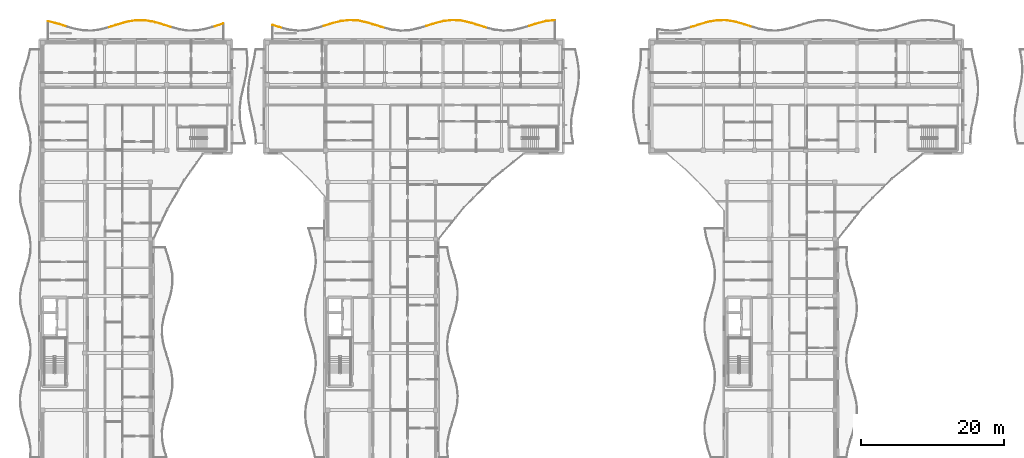
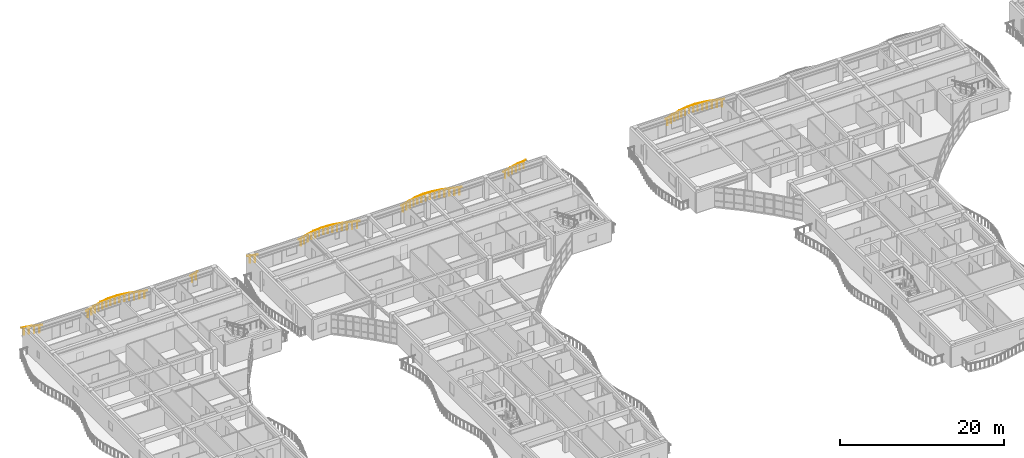
# One storey, part 68 of 76: 35 railings.
"""IFC4 building model written with IfcOpenShell, lengths in metres."""

from ifc_helpers import new_model, si_unit, direction, frame, origin, origin_2d, place, context, subcontext, project, spatial, circle, extrude, material, type_object, element, save


model = new_model("IFC4")

# Units and contexts
model_context = context("Model", 3, precision=1e-05, world=origin(), true_north=direction((0.0, 1.0)))
body_context = subcontext(model_context, "Body", "Model", "MODEL_VIEW")
ifc_project = project(units=[si_unit("LENGTHUNIT", "METRE"), si_unit("AREAUNIT", "SQUARE_METRE"), si_unit("VOLUMEUNIT", "CUBIC_METRE"), si_unit("PLANEANGLEUNIT", "RADIAN"), si_unit("MASSUNIT", "GRAM", prefix="KILO")], contexts=[model_context])

# Site, building, storey
site_placement = place(None, origin())
site = spatial("IfcSite", under=ifc_project, at=site_placement, CompositionType="ELEMENT")
building_placement = place(site_placement, origin())
building = spatial("IfcBuilding", under=site, at=building_placement, Name="Keldmere Railside Commons", CompositionType="ELEMENT")
storey_placement = place(building_placement, frame((0.0, 0.0, 13.760009765625)))
storey = spatial("IfcBuildingStorey", under=building, at=storey_placement, Name="L04", CompositionType="ELEMENT", Elevation=13.760009765625)

# Railings
ifc_material = material(Name="Steel F-24 (S235)", Category="steel")
railing_type = type_object("IfcRailingType", Name="Balcony & Terrace Steel Balustrade 1100", PredefinedType="BALUSTRADE", material=ifc_material)
railing_1_placement = place(storey_placement, frame((9.199951171875, 118.556396484375, 0.0)))
element("IfcRailing", 1, at=railing_1_placement, inside=storey, type_object=railing_type, Name="GR-1 GRD-L04-0380", PredefinedType="BALUSTRADE", context=body_context, shape_type="SweptSolid", body=[
    extrude(circle(Radius=0.02392578125, at=origin_2d()), frame((0.0, 0.0, 1.076171875), z_axis=(0.969482406187, -0.2451608943, 0.0), x_axis=(0.2451608943, 0.969482406187, 0.0)), (0.0, 0.0, 1.0), 1.268798828125),
    extrude(circle(Radius=0.02099609375, at=origin_2d()), frame((0.3076171875, -0.07763671875, 0.0)), (0.0, 0.0, 1.0), 1.048095703125),
    extrude(circle(Radius=0.02099609375, at=origin_2d()), frame((0.92236328125, -0.2333984375, 0.0)), (0.0, 0.0, 1.0), 1.048095703125),
])
railing_2_placement = place(storey_placement, frame((10.429931640625, 118.245361328125, 0.0)))
element("IfcRailing", 2, at=railing_2_placement, inside=storey, type_object=railing_type, Name="GR-1 GRD-L04-0381", PredefinedType="BALUSTRADE", context=body_context, shape_type="SweptSolid", body=[
    extrude(circle(Radius=0.02392578125, at=origin_2d()), frame((0.0, 0.0, 1.076171875), z_axis=(0.95232313368, -0.305091214323, 0.0), x_axis=(0.305091214323, 0.95232313368, 0.0)), (0.0, 0.0, 1.0), 1.29150390625),
    extrude(circle(Radius=0.02099609375, at=origin_2d()), frame((0.3076171875, -0.0986328125, 0.0)), (0.0, 0.0, 1.0), 1.048095703125),
    extrude(circle(Radius=0.02099609375, at=origin_2d()), frame((0.92236328125, -0.29541015625, 0.0)), (0.0, 0.0, 1.0), 1.048095703125),
])
railing_3_placement = place(storey_placement, frame((17.81005859375, 117.70947265625, 0.0)))
element("IfcRailing", 3, at=railing_3_placement, inside=storey, type_object=railing_type, Name="GR-1 GRD-L04-0387", PredefinedType="BALUSTRADE", context=body_context, shape_type="SweptSolid", body=[
    extrude(circle(Radius=0.02392578125, at=origin_2d()), frame((0.0, 0.0, 1.076171875), z_axis=(0.951607090791, 0.307317335593, 0.0), x_axis=(-0.307317335593, 0.951607090791, 0.0)), (0.0, 0.0, 1.0), 1.29248046875),
    extrude(circle(Radius=0.02099609375, at=origin_2d()), frame((0.3076171875, 0.099365234375, 0.0)), (0.0, 0.0, 1.0), 1.048095703125),
    extrude(circle(Radius=0.02099609375, at=origin_2d()), frame((0.92236328125, 0.2978515625, 0.0)), (0.0, 0.0, 1.0), 1.048095703125),
])
railing_4_placement = place(storey_placement, frame((19.0400390625, 118.106689453125, 0.0)))
element("IfcRailing", 4, at=railing_4_placement, inside=storey, type_object=railing_type, Name="GR-1 GRD-L04-0388", PredefinedType="BALUSTRADE", context=body_context, shape_type="SweptSolid", body=[
    extrude(circle(Radius=0.02392578125, at=origin_2d()), frame((0.0, 0.0, 1.076171875), z_axis=(0.961192069066, 0.275880057933, 0.0), x_axis=(-0.275880057933, 0.961192069066, 0.0)), (0.0, 0.0, 1.0), 1.279541015625),
    extrude(circle(Radius=0.02099609375, at=origin_2d()), frame((0.3076171875, 0.08837890625, 0.0)), (0.0, 0.0, 1.0), 1.048095703125),
    extrude(circle(Radius=0.02099609375, at=origin_2d()), frame((0.92236328125, 0.2646484375, 0.0)), (0.0, 0.0, 1.0), 1.048095703125),
])
railing_5_placement = place(storey_placement, frame((20.27001953125, 118.459716796875, 0.0)))
element("IfcRailing", 5, at=railing_5_placement, inside=storey, type_object=railing_type, Name="GR-1 GRD-L04-0389", PredefinedType="BALUSTRADE", context=body_context, shape_type="SweptSolid", body=[
    extrude(circle(Radius=0.02392578125, at=origin_2d()), frame((0.0, 0.0, 1.076171875), z_axis=(0.985806014583, 0.167888360562, 0.0), x_axis=(-0.167888360562, 0.985806014583, 0.0)), (0.0, 0.0, 1.0), 1.247802734375),
    extrude(circle(Radius=0.02099609375, at=origin_2d()), frame((0.3076171875, 0.05224609375, 0.0)), (0.0, 0.0, 1.0), 1.048095703125),
    extrude(circle(Radius=0.02099609375, at=origin_2d()), frame((0.92236328125, 0.1572265625, 0.0)), (0.0, 0.0, 1.0), 1.048095703125),
])
railing_6_placement = place(storey_placement, frame((21.5, 118.669189453125, 0.0)))
element("IfcRailing", 6, at=railing_6_placement, inside=storey, type_object=railing_type, Name="GR-1 GRD-L04-0390", PredefinedType="BALUSTRADE", context=body_context, shape_type="SweptSolid", body=[
    extrude(circle(Radius=0.02392578125, at=origin_2d()), frame((0.0, 0.0, 1.076171875), z_axis=(0.999981069385, 0.006153118926, 0.0), x_axis=(-0.006153118926, 0.999981069385, 0.0)), (0.0, 0.0, 1.0), 1.22998046875),
    extrude(circle(Radius=0.02099609375, at=origin_2d()), frame((0.3076171875, 0.001953125, 0.0)), (0.0, 0.0, 1.0), 1.048095703125),
    extrude(circle(Radius=0.02099609375, at=origin_2d()), frame((0.92236328125, 0.005615234375, 0.0)), (0.0, 0.0, 1.0), 1.048095703125),
])
railing_7_placement = place(storey_placement, frame((22.72998046875, 118.6767578125, 0.0)))
element("IfcRailing", 7, at=railing_7_placement, inside=storey, type_object=railing_type, Name="GR-1 GRD-L04-0391", PredefinedType="BALUSTRADE", context=body_context, shape_type="SweptSolid", body=[
    extrude(circle(Radius=0.02392578125, at=origin_2d()), frame((0.0, 0.0, 1.076171875), z_axis=(0.987443077964, -0.157975212552, 0.0), x_axis=(0.157975212552, 0.987443077964, 0.0)), (0.0, 0.0, 1.0), 1.24560546875),
    extrude(circle(Radius=0.02099609375, at=origin_2d()), frame((0.3076171875, -0.04931640625, 0.0)), (0.0, 0.0, 1.0), 1.048095703125),
    extrude(circle(Radius=0.02099609375, at=origin_2d()), frame((0.92236328125, -0.1474609375, 0.0)), (0.0, 0.0, 1.0), 1.048095703125),
])
railing_8_placement = place(storey_placement, frame((23.9599609375, 118.47998046875, 0.0)))
element("IfcRailing", 8, at=railing_8_placement, inside=storey, type_object=railing_type, Name="GR-1 GRD-L04-0392", PredefinedType="BALUSTRADE", context=body_context, shape_type="SweptSolid", body=[
    extrude(circle(Radius=0.02392578125, at=origin_2d()), frame((0.0, 0.0, 1.076171875), z_axis=(0.962647827518, -0.270756643825, 0.0), x_axis=(0.270756643825, 0.962647827518, 0.0)), (0.0, 0.0, 1.0), 1.277587890625),
    extrude(circle(Radius=0.02099609375, at=origin_2d()), frame((0.3076171875, -0.08642578125, 0.0)), (0.0, 0.0, 1.0), 1.048095703125),
    extrude(circle(Radius=0.02099609375, at=origin_2d()), frame((0.92236328125, -0.259521484375, 0.0)), (0.0, 0.0, 1.0), 1.048095703125),
])
railing_9_placement = place(storey_placement, frame((25.18994140625, 118.134033203125, 0.0)))
element("IfcRailing", 9, at=railing_9_placement, inside=storey, type_object=railing_type, Name="GR-1 GRD-L04-0393", PredefinedType="BALUSTRADE", context=body_context, shape_type="SweptSolid", body=[
    extrude(circle(Radius=0.02392578125, at=origin_2d()), frame((0.0, 0.0, 1.076171875), z_axis=(0.951496564548, -0.307659369521, 0.0), x_axis=(0.307659369521, 0.951496564548, 0.0)), (0.0, 0.0, 1.0), 1.292724609375),
    extrude(circle(Radius=0.02099609375, at=origin_2d()), frame((0.3076171875, -0.099365234375, 0.0)), (0.0, 0.0, 1.0), 1.048095703125),
    extrude(circle(Radius=0.02099609375, at=origin_2d()), frame((0.92236328125, -0.29833984375, 0.0)), (0.0, 0.0, 1.0), 1.048095703125),
])
railing_10_placement = place(storey_placement, frame((32.570068359375, 117.823486328125, 0.0)))
element("IfcRailing", 10, at=railing_10_placement, inside=storey, type_object=railing_type, Name="GR-1 GRD-L04-0399", PredefinedType="BALUSTRADE", context=body_context, shape_type="SweptSolid", body=[
    extrude(circle(Radius=0.02392578125, at=origin_2d()), frame((0.0, 0.0, 1.076171875), z_axis=(0.951882980332, 0.306461729674, 0.0), x_axis=(-0.306461729674, 0.951882980332, 0.0)), (0.0, 0.0, 1.0), 1.292236328125),
    extrude(circle(Radius=0.02099609375, at=origin_2d()), frame((0.3076171875, 0.09912109375, 0.0)), (0.0, 0.0, 1.0), 1.048095703125),
    extrude(circle(Radius=0.02099609375, at=origin_2d()), frame((0.92236328125, 0.296875, 0.0)), (0.0, 0.0, 1.0), 1.048095703125),
])
railing_11_placement = place(storey_placement, frame((40.699951171875, 118.0185546875, 0.0)))
element("IfcRailing", 11, at=railing_11_placement, inside=storey, type_object=railing_type, Name="GR-1 GRD-L04-1178", PredefinedType="BALUSTRADE", context=body_context, shape_type="SweptSolid", body=[
    extrude(circle(Radius=0.02392578125, at=origin_2d()), frame((0.0, 0.0, 1.076171875), z_axis=(0.952749959095, -0.303755683805, 0.0), x_axis=(0.303755683805, 0.952749959095, 0.0)), (0.0, 0.0, 1.0), 1.259521484375),
    extrude(circle(Radius=0.02099609375, at=origin_2d()), frame((0.300048828125, -0.095703125, 0.0)), (0.0, 0.0, 1.0), 1.048095703125),
    extrude(circle(Radius=0.02099609375, at=origin_2d()), frame((0.89990234375, -0.286865234375, 0.0)), (0.0, 0.0, 1.0), 1.048095703125),
])
railing_12_placement = place(storey_placement, frame((47.89990234375, 117.88134765625, 0.0)))
element("IfcRailing", 12, at=railing_12_placement, inside=storey, type_object=railing_type, Name="GR-1 GRD-L04-1184", PredefinedType="BALUSTRADE", context=body_context, shape_type="SweptSolid", body=[
    extrude(circle(Radius=0.02392578125, at=origin_2d()), frame((0.0, 0.0, 1.076171875), z_axis=(0.952767839772, 0.303699594166, 0.0), x_axis=(-0.303699594166, 0.952767839772, 0.0)), (0.0, 0.0, 1.0), 1.259765625),
    extrude(circle(Radius=0.02099609375, at=origin_2d()), frame((0.300048828125, 0.095703125, 0.0)), (0.0, 0.0, 1.0), 1.048095703125),
    extrude(circle(Radius=0.02099609375, at=origin_2d()), frame((0.900146484375, 0.286865234375, 0.0)), (0.0, 0.0, 1.0), 1.048095703125),
])
railing_13_placement = place(storey_placement, frame((49.10009765625, 118.263916015625, 0.0)))
element("IfcRailing", 13, at=railing_13_placement, inside=storey, type_object=railing_type, Name="GR-1 GRD-L04-1185", PredefinedType="BALUSTRADE", context=body_context, shape_type="SweptSolid", body=[
    extrude(circle(Radius=0.02392578125, at=origin_2d()), frame((0.0, 0.0, 1.076171875), z_axis=(0.97040903409, 0.241466988544, 0.0), x_axis=(-0.241466988544, 0.97040903409, 0.0)), (0.0, 0.0, 1.0), 1.236572265625),
    extrude(circle(Radius=0.02099609375, at=origin_2d()), frame((0.300048828125, 0.07470703125, 0.0)), (0.0, 0.0, 1.0), 1.048095703125),
    extrude(circle(Radius=0.02099609375, at=origin_2d()), frame((0.89990234375, 0.223876953125, 0.0)), (0.0, 0.0, 1.0), 1.048095703125),
])
railing_14_placement = place(storey_placement, frame((50.300048828125, 118.5625, 0.0)))
element("IfcRailing", 14, at=railing_14_placement, inside=storey, type_object=railing_type, Name="GR-1 GRD-L04-1186", PredefinedType="BALUSTRADE", context=body_context, shape_type="SweptSolid", body=[
    extrude(circle(Radius=0.02392578125, at=origin_2d()), frame((0.0, 0.0, 1.076171875), z_axis=(0.993774761635, 0.111407913258, 0.0), x_axis=(-0.111407913258, 0.993774761635, 0.0)), (0.0, 0.0, 1.0), 1.20751953125),
    extrude(circle(Radius=0.02099609375, at=origin_2d()), frame((0.300048828125, 0.03369140625, 0.0)), (0.0, 0.0, 1.0), 1.048095703125),
    extrude(circle(Radius=0.02099609375, at=origin_2d()), frame((0.89990234375, 0.100830078125, 0.0)), (0.0, 0.0, 1.0), 1.048095703125),
])
railing_15_placement = place(storey_placement, frame((51.5, 118.697021484375, 0.0)))
element("IfcRailing", 15, at=railing_15_placement, inside=storey, type_object=railing_type, Name="GR-1 GRD-L04-1187", PredefinedType="BALUSTRADE", context=body_context, shape_type="SweptSolid", body=[
    extrude(circle(Radius=0.02392578125, at=origin_2d()), frame((0.0, 0.0, 1.076171875), z_axis=(0.998494541086, -0.054851175197, 0.0), x_axis=(0.054851175197, 0.998494541086, 0.0)), (0.0, 0.0, 1.0), 1.20166015625),
    extrude(circle(Radius=0.02099609375, at=origin_2d()), frame((0.300048828125, -0.0166015625, 0.0)), (0.0, 0.0, 1.0), 1.048095703125),
    extrude(circle(Radius=0.02099609375, at=origin_2d()), frame((0.89990234375, -0.04931640625, 0.0)), (0.0, 0.0, 1.0), 1.048095703125),
])
railing_16_placement = place(storey_placement, frame((52.699951171875, 118.631103515625, 0.0)))
element("IfcRailing", 16, at=railing_16_placement, inside=storey, type_object=railing_type, Name="GR-1 GRD-L04-1188", PredefinedType="BALUSTRADE", context=body_context, shape_type="SweptSolid", body=[
    extrude(circle(Radius=0.02392578125, at=origin_2d()), frame((0.0, 0.0, 1.076171875), z_axis=(0.979256330038, -0.202625368799, 0.0), x_axis=(0.202625368799, 0.979256330038, 0.0)), (0.0, 0.0, 1.0), 1.225341796875),
    extrude(circle(Radius=0.02099609375, at=origin_2d()), frame((0.300048828125, -0.06201171875, 0.0)), (0.0, 0.0, 1.0), 1.048095703125),
    extrude(circle(Radius=0.02099609375, at=origin_2d()), frame((0.89990234375, -0.186279296875, 0.0)), (0.0, 0.0, 1.0), 1.048095703125),
])
railing_17_placement = place(storey_placement, frame((53.89990234375, 118.3828125, 0.0)))
element("IfcRailing", 17, at=railing_17_placement, inside=storey, type_object=railing_type, Name="GR-1 GRD-L04-1189", PredefinedType="BALUSTRADE", context=body_context, shape_type="SweptSolid", body=[
    extrude(circle(Radius=0.02392578125, at=origin_2d()), frame((0.0, 0.0, 1.076171875), z_axis=(0.956899897455, -0.290417950977, 0.0), x_axis=(0.290417950977, 0.956899897455, 0.0)), (0.0, 0.0, 1.0), 1.254150390625),
    extrude(circle(Radius=0.02099609375, at=origin_2d()), frame((0.300048828125, -0.091064453125, 0.0)), (0.0, 0.0, 1.0), 1.048095703125),
    extrude(circle(Radius=0.02099609375, at=origin_2d()), frame((0.900146484375, -0.273193359375, 0.0)), (0.0, 0.0, 1.0), 1.048095703125),
])
railing_18_placement = place(storey_placement, frame((55.10009765625, 118.0185546875, 0.0)))
element("IfcRailing", 18, at=railing_18_placement, inside=storey, type_object=railing_type, Name="GR-1 GRD-L04-1190", PredefinedType="BALUSTRADE", context=body_context, shape_type="SweptSolid", body=[
    extrude(circle(Radius=0.02392578125, at=origin_2d()), frame((0.0, 0.0, 1.076171875), z_axis=(0.952749959095, -0.303755683805, 0.0), x_axis=(0.303755683805, 0.952749959095, 0.0)), (0.0, 0.0, 1.0), 1.259521484375),
    extrude(circle(Radius=0.02099609375, at=origin_2d()), frame((0.300048828125, -0.095703125, 0.0)), (0.0, 0.0, 1.0), 1.048095703125),
    extrude(circle(Radius=0.02099609375, at=origin_2d()), frame((0.89990234375, -0.286865234375, 0.0)), (0.0, 0.0, 1.0), 1.048095703125),
])
railing_19_placement = place(storey_placement, frame((62.300048828125, 117.88134765625, 0.0)))
element("IfcRailing", 19, at=railing_19_placement, inside=storey, type_object=railing_type, Name="GR-1 GRD-L04-1196", PredefinedType="BALUSTRADE", context=body_context, shape_type="SweptSolid", body=[
    extrude(circle(Radius=0.02392578125, at=origin_2d()), frame((0.0, 0.0, 1.076171875), z_axis=(0.952749959095, 0.303755683805, 0.0), x_axis=(-0.303755683805, 0.952749959095, 0.0)), (0.0, 0.0, 1.0), 1.259521484375),
    extrude(circle(Radius=0.02099609375, at=origin_2d()), frame((0.300048828125, 0.095703125, 0.0)), (0.0, 0.0, 1.0), 1.048095703125),
    extrude(circle(Radius=0.02099609375, at=origin_2d()), frame((0.89990234375, 0.286865234375, 0.0)), (0.0, 0.0, 1.0), 1.048095703125),
])
railing_20_placement = place(storey_placement, frame((63.5, 118.263916015625, 0.0)))
element("IfcRailing", 20, at=railing_20_placement, inside=storey, type_object=railing_type, Name="GR-1 GRD-L04-1197", PredefinedType="BALUSTRADE", context=body_context, shape_type="SweptSolid", body=[
    extrude(circle(Radius=0.02392578125, at=origin_2d()), frame((0.0, 0.0, 1.076171875), z_axis=(0.97040903409, 0.241466988544, 0.0), x_axis=(-0.241466988544, 0.97040903409, 0.0)), (0.0, 0.0, 1.0), 1.236572265625),
    extrude(circle(Radius=0.02099609375, at=origin_2d()), frame((0.300048828125, 0.07470703125, 0.0)), (0.0, 0.0, 1.0), 1.048095703125),
    extrude(circle(Radius=0.02099609375, at=origin_2d()), frame((0.89990234375, 0.223876953125, 0.0)), (0.0, 0.0, 1.0), 1.048095703125),
])
railing_21_placement = place(storey_placement, frame((64.699951171875, 118.5625, 0.0)))
element("IfcRailing", 21, at=railing_21_placement, inside=storey, type_object=railing_type, Name="GR-1 GRD-L04-1198", PredefinedType="BALUSTRADE", context=body_context, shape_type="SweptSolid", body=[
    extrude(circle(Radius=0.02392578125, at=origin_2d()), frame((0.0, 0.0, 1.076171875), z_axis=(0.993774761635, 0.111407913258, 0.0), x_axis=(-0.111407913258, 0.993774761635, 0.0)), (0.0, 0.0, 1.0), 1.20751953125),
    extrude(circle(Radius=0.02099609375, at=origin_2d()), frame((0.300048828125, 0.03369140625, 0.0)), (0.0, 0.0, 1.0), 1.048095703125),
    extrude(circle(Radius=0.02099609375, at=origin_2d()), frame((0.89990234375, 0.100830078125, 0.0)), (0.0, 0.0, 1.0), 1.048095703125),
])
railing_22_placement = place(storey_placement, frame((65.89990234375, 118.697021484375, 0.0)))
element("IfcRailing", 22, at=railing_22_placement, inside=storey, type_object=railing_type, Name="GR-1 GRD-L04-1199", PredefinedType="BALUSTRADE", context=body_context, shape_type="SweptSolid", body=[
    extrude(circle(Radius=0.02392578125, at=origin_2d()), frame((0.0, 0.0, 1.076171875), z_axis=(0.998495152116, -0.054840051072, 0.0), x_axis=(0.054840051072, 0.998495152116, 0.0)), (0.0, 0.0, 1.0), 1.201904296875),
    extrude(circle(Radius=0.02099609375, at=origin_2d()), frame((0.300048828125, -0.0166015625, 0.0)), (0.0, 0.0, 1.0), 1.048095703125),
    extrude(circle(Radius=0.02099609375, at=origin_2d()), frame((0.900146484375, -0.04931640625, 0.0)), (0.0, 0.0, 1.0), 1.048095703125),
])
railing_23_placement = place(storey_placement, frame((67.10009765625, 118.631103515625, 0.0)))
element("IfcRailing", 23, at=railing_23_placement, inside=storey, type_object=railing_type, Name="GR-1 GRD-L04-1200", PredefinedType="BALUSTRADE", context=body_context, shape_type="SweptSolid", body=[
    extrude(circle(Radius=0.02392578125, at=origin_2d()), frame((0.0, 0.0, 1.076171875), z_axis=(0.979256330038, -0.202625368799, 0.0), x_axis=(0.202625368799, 0.979256330038, 0.0)), (0.0, 0.0, 1.0), 1.225341796875),
    extrude(circle(Radius=0.02099609375, at=origin_2d()), frame((0.300048828125, -0.06201171875, 0.0)), (0.0, 0.0, 1.0), 1.048095703125),
    extrude(circle(Radius=0.02099609375, at=origin_2d()), frame((0.89990234375, -0.186279296875, 0.0)), (0.0, 0.0, 1.0), 1.048095703125),
])
railing_24_placement = place(storey_placement, frame((68.300048828125, 118.3828125, 0.0)))
element("IfcRailing", 24, at=railing_24_placement, inside=storey, type_object=railing_type, Name="GR-1 GRD-L04-1201", PredefinedType="BALUSTRADE", context=body_context, shape_type="SweptSolid", body=[
    extrude(circle(Radius=0.02392578125, at=origin_2d()), frame((0.0, 0.0, 1.076171875), z_axis=(0.956883475575, -0.29047205403, 0.0), x_axis=(0.29047205403, 0.956883475575, 0.0)), (0.0, 0.0, 1.0), 1.25390625),
    extrude(circle(Radius=0.02099609375, at=origin_2d()), frame((0.300048828125, -0.091064453125, 0.0)), (0.0, 0.0, 1.0), 1.048095703125),
    extrude(circle(Radius=0.02099609375, at=origin_2d()), frame((0.89990234375, -0.273193359375, 0.0)), (0.0, 0.0, 1.0), 1.048095703125),
])
railing_25_placement = place(storey_placement, frame((69.5, 118.0185546875, 0.0)))
element("IfcRailing", 25, at=railing_25_placement, inside=storey, type_object=railing_type, Name="GR-1 GRD-L04-1202", PredefinedType="BALUSTRADE", context=body_context, shape_type="SweptSolid", body=[
    extrude(circle(Radius=0.02392578125, at=origin_2d()), frame((0.0, 0.0, 1.076171875), z_axis=(0.952749959095, -0.303755683805, 0.0), x_axis=(0.303755683805, 0.952749959095, 0.0)), (0.0, 0.0, 1.0), 1.259521484375),
    extrude(circle(Radius=0.02099609375, at=origin_2d()), frame((0.300048828125, -0.095703125, 0.0)), (0.0, 0.0, 1.0), 1.048095703125),
    extrude(circle(Radius=0.02099609375, at=origin_2d()), frame((0.89990234375, -0.286865234375, 0.0)), (0.0, 0.0, 1.0), 1.048095703125),
])
railing_26_placement = place(storey_placement, frame((76.699951171875, 117.88134765625, 0.0)))
element("IfcRailing", 26, at=railing_26_placement, inside=storey, type_object=railing_type, Name="GR-1 GRD-L04-1208", PredefinedType="BALUSTRADE", context=body_context, shape_type="SweptSolid", body=[
    extrude(circle(Radius=0.02392578125, at=origin_2d()), frame((0.0, 0.0, 1.076171875), z_axis=(0.952749959095, 0.303755683805, 0.0), x_axis=(-0.303755683805, 0.952749959095, 0.0)), (0.0, 0.0, 1.0), 1.259521484375),
    extrude(circle(Radius=0.02099609375, at=origin_2d()), frame((0.300048828125, 0.095703125, 0.0)), (0.0, 0.0, 1.0), 1.048095703125),
    extrude(circle(Radius=0.02099609375, at=origin_2d()), frame((0.89990234375, 0.286865234375, 0.0)), (0.0, 0.0, 1.0), 1.048095703125),
])
railing_27_placement = place(storey_placement, frame((77.89990234375, 118.263916015625, 0.0)))
element("IfcRailing", 27, at=railing_27_placement, inside=storey, type_object=railing_type, Name="GR-1 GRD-L04-1209", PredefinedType="BALUSTRADE", context=body_context, shape_type="SweptSolid", body=[
    extrude(circle(Radius=0.02392578125, at=origin_2d()), frame((0.0, 0.0, 1.076171875), z_axis=(0.970420542678, 0.241420733054, 0.0), x_axis=(-0.241420733054, 0.970420542678, 0.0)), (0.0, 0.0, 1.0), 1.23681640625),
    extrude(circle(Radius=0.02099609375, at=origin_2d()), frame((0.300048828125, 0.07470703125, 0.0)), (0.0, 0.0, 1.0), 1.048095703125),
    extrude(circle(Radius=0.02099609375, at=origin_2d()), frame((0.900146484375, 0.223876953125, 0.0)), (0.0, 0.0, 1.0), 1.048095703125),
])
railing_28_placement = place(storey_placement, frame((79.10009765625, 118.5625, 0.0)))
element("IfcRailing", 28, at=railing_28_placement, inside=storey, type_object=railing_type, Name="GR-1 GRD-L04-1210", PredefinedType="BALUSTRADE", context=body_context, shape_type="SweptSolid", body=[
    extrude(circle(Radius=0.02392578125, at=origin_2d()), frame((0.0, 0.0, 1.076171875), z_axis=(0.993774761635, 0.111407913258, 0.0), x_axis=(-0.111407913258, 0.993774761635, 0.0)), (0.0, 0.0, 1.0), 1.20751953125),
    extrude(circle(Radius=0.02099609375, at=origin_2d()), frame((0.300048828125, 0.03369140625, 0.0)), (0.0, 0.0, 1.0), 1.048095703125),
    extrude(circle(Radius=0.02099609375, at=origin_2d()), frame((0.89990234375, 0.100830078125, 0.0)), (0.0, 0.0, 1.0), 1.048095703125),
])
railing_29_placement = place(storey_placement, frame((99.454345703125, 117.72216796875, 0.0)))
element("IfcRailing", 29, at=railing_29_placement, inside=storey, type_object=railing_type, Name="GR-1 GRD-L04-2242", PredefinedType="BALUSTRADE", context=body_context, shape_type="SweptSolid", body=[
    extrude(circle(Radius=0.02392578125, at=origin_2d()), frame((0.0, 0.0, 1.076171875), z_axis=(0.95155558604, 0.307476774207, 0.0), x_axis=(-0.307476774207, 0.95155558604, 0.0)), (0.0, 0.0, 1.0), 1.2490234375),
    extrude(circle(Radius=0.02099609375, at=origin_2d()), frame((0.297119140625, 0.095947265625, 0.0)), (0.0, 0.0, 1.0), 1.048095703125),
    extrude(circle(Radius=0.02099609375, at=origin_2d()), frame((0.891357421875, 0.2880859375, 0.0)), (0.0, 0.0, 1.0), 1.048095703125),
])
railing_30_placement = place(storey_placement, frame((100.642822265625, 118.106201171875, 0.0)))
element("IfcRailing", 30, at=railing_30_placement, inside=storey, type_object=railing_type, Name="GR-1 GRD-L04-2243", PredefinedType="BALUSTRADE", context=body_context, shape_type="SweptSolid", body=[
    extrude(circle(Radius=0.02392578125, at=origin_2d()), frame((0.0, 0.0, 1.076171875), z_axis=(0.960783150684, 0.277300806637, 0.0), x_axis=(-0.277300806637, 0.960783150684, 0.0)), (0.0, 0.0, 1.0), 1.237060546875),
    extrude(circle(Radius=0.02099609375, at=origin_2d()), frame((0.297119140625, 0.085693359375, 0.0)), (0.0, 0.0, 1.0), 1.048095703125),
    extrude(circle(Radius=0.02099609375, at=origin_2d()), frame((0.891357421875, 0.25732421875, 0.0)), (0.0, 0.0, 1.0), 1.048095703125),
])
railing_31_placement = place(storey_placement, frame((101.831298828125, 118.44921875, 0.0)))
element("IfcRailing", 31, at=railing_31_placement, inside=storey, type_object=railing_type, Name="GR-1 GRD-L04-2244", PredefinedType="BALUSTRADE", context=body_context, shape_type="SweptSolid", body=[
    extrude(circle(Radius=0.02392578125, at=origin_2d()), frame((0.0, 0.0, 1.076171875), z_axis=(0.984513685919, 0.175307735817, 0.0), x_axis=(-0.175307735817, 0.984513685919, 0.0)), (0.0, 0.0, 1.0), 1.20751953125),
    extrude(circle(Radius=0.02099609375, at=origin_2d()), frame((0.297119140625, 0.052978515625, 0.0)), (0.0, 0.0, 1.0), 1.048095703125),
    extrude(circle(Radius=0.02099609375, at=origin_2d()), frame((0.8916015625, 0.15869140625, 0.0)), (0.0, 0.0, 1.0), 1.048095703125),
])
railing_32_placement = place(storey_placement, frame((103.02001953125, 118.660888671875, 0.0)))
element("IfcRailing", 32, at=railing_32_placement, inside=storey, type_object=railing_type, Name="GR-1 GRD-L04-2245", PredefinedType="BALUSTRADE", context=body_context, shape_type="SweptSolid", body=[
    extrude(circle(Radius=0.02392578125, at=origin_2d()), frame((0.0, 0.0, 1.076171875), z_axis=(0.999780554725, 0.020948565444, 0.0), x_axis=(-0.020948565444, 0.999780554725, 0.0)), (0.0, 0.0, 1.0), 1.188720703125),
    extrude(circle(Radius=0.02099609375, at=origin_2d()), frame((0.297119140625, 0.00634765625, 0.0)), (0.0, 0.0, 1.0), 1.048095703125),
    extrude(circle(Radius=0.02099609375, at=origin_2d()), frame((0.891357421875, 0.0185546875, 0.0)), (0.0, 0.0, 1.0), 1.048095703125),
])
railing_33_placement = place(storey_placement, frame((104.20849609375, 118.685791015625, 0.0)))
element("IfcRailing", 33, at=railing_33_placement, inside=storey, type_object=railing_type, Name="GR-1 GRD-L04-2246", PredefinedType="BALUSTRADE", context=body_context, shape_type="SweptSolid", body=[
    extrude(circle(Radius=0.02392578125, at=origin_2d()), frame((0.0, 0.0, 1.076171875), z_axis=(0.99007921431, -0.140510317742, 0.0), x_axis=(0.140510317742, 0.99007921431, 0.0)), (0.0, 0.0, 1.0), 1.20068359375),
    extrude(circle(Radius=0.02099609375, at=origin_2d()), frame((0.297119140625, -0.042236328125, 0.0)), (0.0, 0.0, 1.0), 1.048095703125),
    extrude(circle(Radius=0.02099609375, at=origin_2d()), frame((0.8916015625, -0.12646484375, 0.0)), (0.0, 0.0, 1.0), 1.048095703125),
])
railing_34_placement = place(storey_placement, frame((105.397216796875, 118.51708984375, 0.0)))
element("IfcRailing", 34, at=railing_34_placement, inside=storey, type_object=railing_type, Name="GR-1 GRD-L04-2247", PredefinedType="BALUSTRADE", context=body_context, shape_type="SweptSolid", body=[
    extrude(circle(Radius=0.02392578125, at=origin_2d()), frame((0.0, 0.0, 1.076171875), z_axis=(0.966043637192, -0.258378967877, 0.0), x_axis=(0.258378967877, 0.966043637192, 0.0)), (0.0, 0.0, 1.0), 1.230224609375),
    extrude(circle(Radius=0.02099609375, at=origin_2d()), frame((0.297119140625, -0.07958984375, 0.0)), (0.0, 0.0, 1.0), 1.048095703125),
    extrude(circle(Radius=0.02099609375, at=origin_2d()), frame((0.891357421875, -0.23828125, 0.0)), (0.0, 0.0, 1.0), 1.048095703125),
])
railing_35_placement = place(storey_placement, frame((106.585693359375, 118.19921875, 0.0)))
element("IfcRailing", 35, at=railing_35_placement, inside=storey, type_object=railing_type, Name="GR-1 GRD-L04-2248", PredefinedType="BALUSTRADE", context=body_context, shape_type="SweptSolid", body=[
    extrude(circle(Radius=0.02392578125, at=origin_2d()), frame((0.0, 0.0, 1.076171875), z_axis=(0.951745457356, -0.306888553717, 0.0), x_axis=(0.306888553717, 0.951745457356, 0.0)), (0.0, 0.0, 1.0), 1.2490234375),
    extrude(circle(Radius=0.02099609375, at=origin_2d()), frame((0.297119140625, -0.095703125, 0.0)), (0.0, 0.0, 1.0), 1.048095703125),
    extrude(circle(Radius=0.02099609375, at=origin_2d()), frame((0.8916015625, -0.28759765625, 0.0)), (0.0, 0.0, 1.0), 1.048095703125),
])

save(model, "model.ifc")
